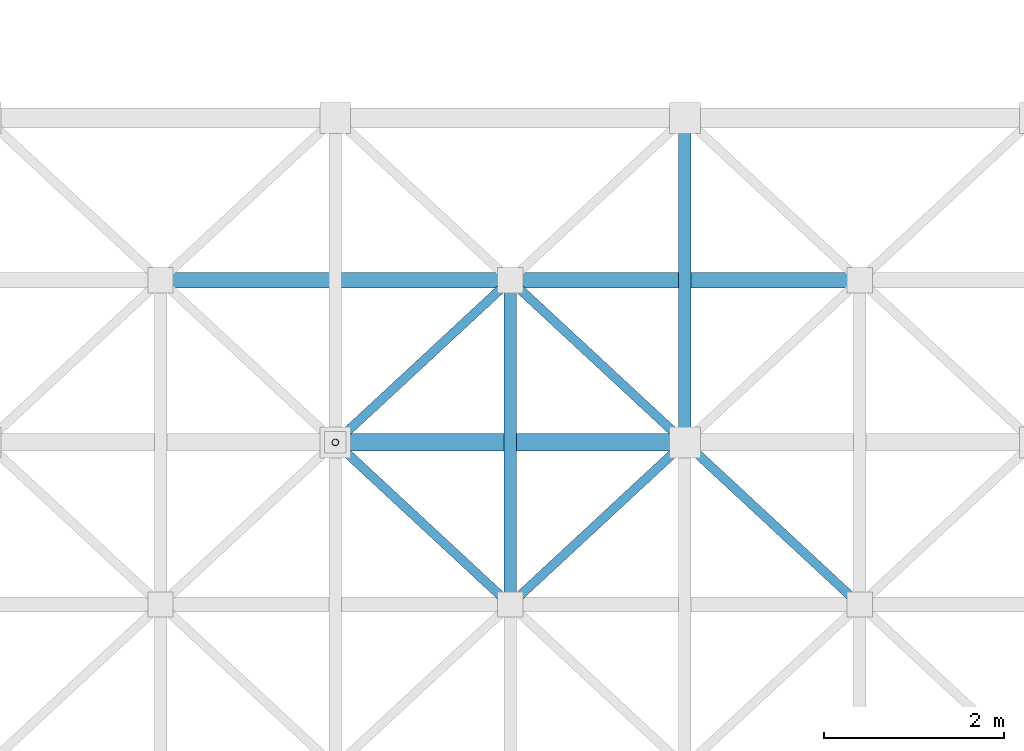
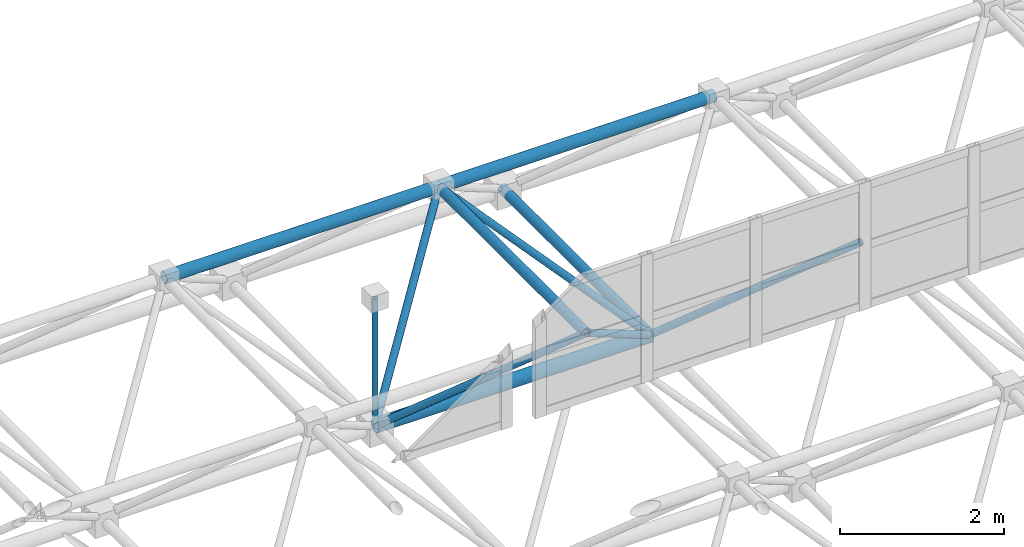
# One storey, part 98 of 195: 11 members.
"""IFC4 building model written with IfcOpenShell, lengths in metres."""

from ifc_helpers import new_model, si_unit, direction, frame, origin, origin_2d, place, context, subcontext, project, spatial, hollow_circle, extrude, material, material_profile, profile_set, type_object, element, save


model = new_model("IFC4")

# Units and contexts
model_context = context("Model", 3, precision=1e-05, world=origin(), true_north=direction((0.0, 1.0)))
body_context = subcontext(model_context, "Body", "Model", "MODEL_VIEW")
ifc_project = project(units=[si_unit("LENGTHUNIT", "METRE"), si_unit("AREAUNIT", "SQUARE_METRE"), si_unit("VOLUMEUNIT", "CUBIC_METRE"), si_unit("PLANEANGLEUNIT", "RADIAN"), si_unit("MASSUNIT", "GRAM", prefix="KILO")], contexts=[model_context])

# Site, building, storey
site_placement = place(None, origin())
site = spatial("IfcSite", under=ifc_project, at=site_placement, CompositionType="ELEMENT")
building_placement = place(site_placement, origin())
building = spatial("IfcBuilding", under=site, at=building_placement, Name="Kharva Crest Polytechnic", CompositionType="ELEMENT")
storey_placement = place(building_placement, frame((0.0, 0.0, 9.0)))
storey = spatial("IfcBuildingStorey", under=building, at=storey_placement, Name="L02", CompositionType="ELEMENT", Elevation=9.0)

# Members
ifc_material = material(Name="Steel S355", Category="steel")
ifc_material_profile_1 = material_profile(ifc_material, hollow_circle(Radius=0.05078125, WallThickness=0.0048828125, at=origin_2d()), Name="CHS 101.6X5.0")
ifc_profile_set_1 = profile_set([ifc_material_profile_1], Name="Steel S355")
member_type_1 = type_object("IfcMemberType", Name="MEM-CHS101", PredefinedType="BRACE", material=ifc_profile_set_1)
for number, where, z_axis, x_axis, name in (
    (1, (16.0, 89.60009765625, 0.60009765625), (0.606147481159, -0.562437122903, 0.562360839555), (0.680182129432, 0.73304315753, 0.0), "Space Frame Web Diagonal 723"),
    (2, (19.8798828125, 89.60009765625, 0.60009765625), (-0.606147481159, -0.562437122903, 0.562360839555), (0.680182129432, -0.73304315753, 0.0), "Space Frame Web Diagonal 724"),
):
    element("IfcMember", number, at=place(storey_placement, frame(where, z_axis=z_axis, x_axis=x_axis)), inside=storey, type_object=member_type_1, Name=name, PredefinedType="BRACE", context=body_context, shape_type="SweptSolid", body=[
        extrude(hollow_circle(Radius=0.05078125, WallThickness=0.0048828125, at=origin_2d()), origin(), (0.0, 0.0, 1.0), 3.200439453125),
    ])
for number, where, z_axis, x_axis, name in (
    (3, (16.0, 89.60009765625, 0.60009765625), (0.606173487576, 0.562384967331, 0.562384967331), (-0.680132552351, 0.7330891564, 0.0), "Space Frame Web Diagonal 725"),
    (4, (19.8798828125, 89.60009765625, 0.60009765625), (-0.606173487576, 0.562384967331, 0.562384967331), (-0.680132552351, -0.7330891564, 0.0), "Space Frame Web Diagonal 726"),
):
    element("IfcMember", number, at=place(storey_placement, frame(where, z_axis=z_axis, x_axis=x_axis)), inside=storey, type_object=member_type_1, Name=name, PredefinedType="BRACE", context=body_context, shape_type="SweptSolid", body=[
        extrude(hollow_circle(Radius=0.05078125, WallThickness=0.0048828125, at=origin_2d()), origin(), (0.0, 0.0, 1.0), 3.2001953125),
    ])
member_1_placement = place(storey_placement, frame((19.8798828125, 89.60009765625, 0.60009765625), z_axis=(0.606195733531, -0.562411116563, 0.562334836743), x_axis=(0.680136133543, 0.733085833889, 0.0)))
element("IfcMember", 5, at=member_1_placement, inside=storey, type_object=member_type_1, Name="Space Frame Web Diagonal 779", PredefinedType="BRACE", context=body_context, shape_type="SweptSolid", body=[
    extrude(hollow_circle(Radius=0.05078125, WallThickness=0.0048828125, at=origin_2d()), origin(), (0.0, 0.0, 1.0), 3.20068359375),
])
ifc_material_profile_2 = material_profile(ifc_material, hollow_circle(Radius=0.06982421875, WallThickness=0.00634765625, at=origin_2d()), Name="CHS 139.7X6.3")
ifc_profile_set_2 = profile_set([ifc_material_profile_2], Name="Steel S355")
member_type_2 = type_object("IfcMemberType", Name="MEM-CHS139", PredefinedType="CHORD", material=ifc_profile_set_2)
for number, where, z_axis, x_axis, name in (
    (6, (19.8798828125, 89.60009765625, 0.60009765625), (0.0, 1.0, 0.0), (-1.0, 0.0, 0.0), "Space Frame Bottom Chord Y 204"),
    (7, (17.93994140625, 87.800048828125, 2.39990234375), (0.0, 1.0, 0.0), (-1.0, 0.0, 0.0), "Space Frame Top Chord Y 409"),
):
    element("IfcMember", number, at=place(storey_placement, frame(where, z_axis=z_axis, x_axis=x_axis)), inside=storey, type_object=member_type_2, Name=name, PredefinedType="CHORD", context=body_context, shape_type="SweptSolid", body=[
        extrude(hollow_circle(Radius=0.06982421875, WallThickness=0.00634765625, at=origin_2d()), origin(), (0.0, 0.0, 1.0), 3.599853515625),
    ])
ifc_material_profile_3 = material_profile(ifc_material, hollow_circle(Radius=0.084228515625, WallThickness=0.008056640625, at=origin_2d()), Name="CHS 168.3X8.0")
ifc_profile_set_3 = profile_set([ifc_material_profile_3], Name="Steel S355")
member_type_3 = type_object("IfcMemberType", Name="MEM-CHS168", PredefinedType="CHORD", material=ifc_profile_set_3)
member_2_placement = place(storey_placement, frame((14.06005859375, 91.39990234375, 2.39990234375), z_axis=(1.0, 0.0, 0.0), x_axis=(0.0, 1.0, 0.0)))
element("IfcMember", 8, at=member_2_placement, inside=storey, type_object=member_type_3, Name="Space Frame Top Chord X 341", PredefinedType="CHORD", context=body_context, shape_type="SweptSolid", body=[
    extrude(hollow_circle(Radius=0.084228515625, WallThickness=0.008056640625, at=origin_2d()), origin(), (0.0, 0.0, 1.0), 3.8798828125),
])
member_3_placement = place(storey_placement, frame((17.93994140625, 91.39990234375, 2.39990234375), z_axis=(1.0, 0.0, 0.0), x_axis=(0.0, 1.0, 0.0)))
element("IfcMember", 9, at=member_3_placement, inside=storey, type_object=member_type_3, Name="Space Frame Top Chord X 342", PredefinedType="CHORD", context=body_context, shape_type="SweptSolid", body=[
    extrude(hollow_circle(Radius=0.084228515625, WallThickness=0.008056640625, at=origin_2d()), origin(), (0.0, 0.0, 1.0), 3.880126953125),
])
ifc_material_profile_4 = material_profile(ifc_material, hollow_circle(Radius=0.096923828125, WallThickness=0.008056640625, at=origin_2d()), Name="CHS 193.7X8.0")
ifc_profile_set_4 = profile_set([ifc_material_profile_4], Name="Steel S355")
member_type_4 = type_object("IfcMemberType", Name="MEM-CHS193", PredefinedType="CHORD", material=ifc_profile_set_4)
member_4_placement = place(storey_placement, frame((16.0, 89.60009765625, 0.60009765625), z_axis=(1.0, 0.0, 0.0), x_axis=(0.0, 1.0, 0.0)))
element("IfcMember", 10, at=member_4_placement, inside=storey, type_object=member_type_4, Name="Space Frame Bottom Chord X 109", PredefinedType="CHORD", context=body_context, shape_type="SweptSolid", body=[
    extrude(hollow_circle(Radius=0.096923828125, WallThickness=0.008056640625, at=origin_2d()), origin(), (0.0, 0.0, 1.0), 3.8798828125),
])
ifc_material_profile_5 = material_profile(ifc_material, hollow_circle(Radius=0.0380859375, WallThickness=0.00390625, at=origin_2d()), Name="CHS 76.1X4.0")
ifc_profile_set_5 = profile_set([ifc_material_profile_5], Name="Steel S355")
member_type_5 = type_object("IfcMemberType", Name="MEM-CHS76-ST", PredefinedType="STRUT", material=ifc_profile_set_5)
member_5_placement = place(storey_placement, frame((16.0, 89.60009765625, 0.60009765625), z_axis=(0.0, 0.0, 1.0), x_axis=(1.0, 0.0, 0.0)))
element("IfcMember", 11, at=member_5_placement, inside=storey, type_object=member_type_5, Name="Space Frame Ridge Strut 13", PredefinedType="STRUT", context=body_context, shape_type="SweptSolid", body=[
    extrude(hollow_circle(Radius=0.0380859375, WallThickness=0.00390625, at=origin_2d()), origin(), (0.0, 0.0, 1.0), 1.911865234375),
])

save(model, "model.ifc")
